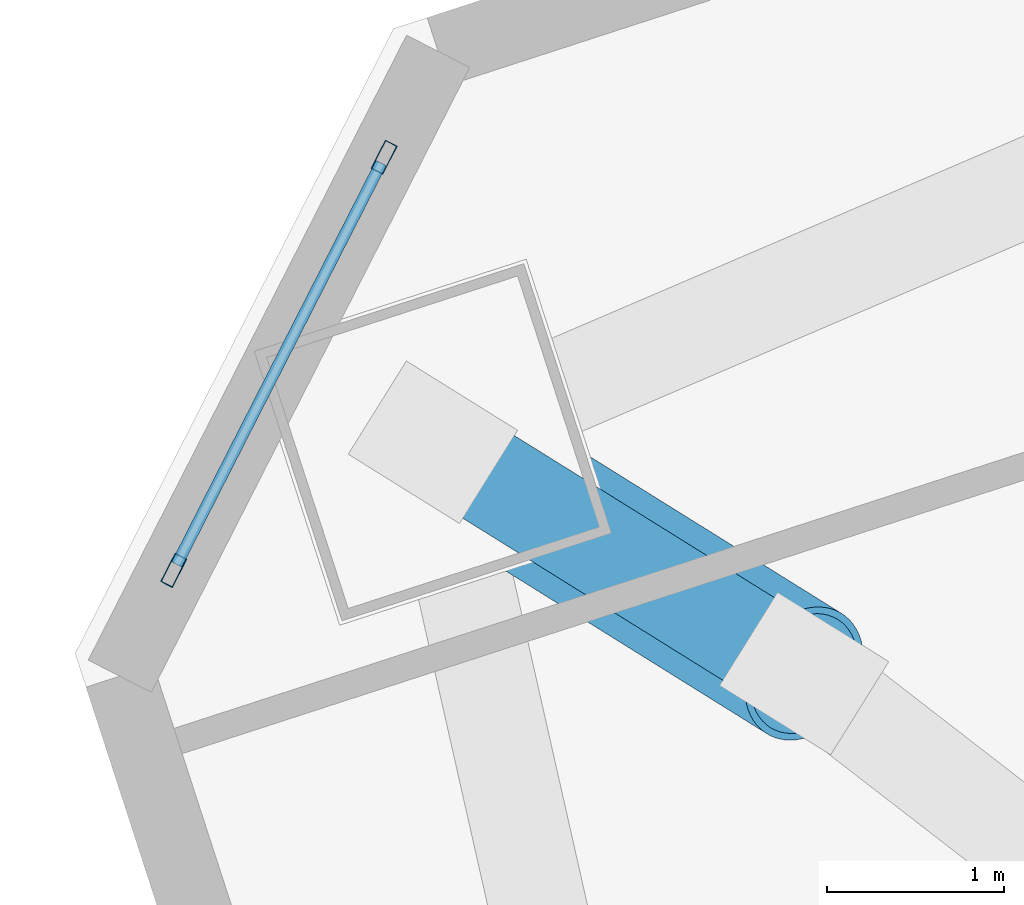
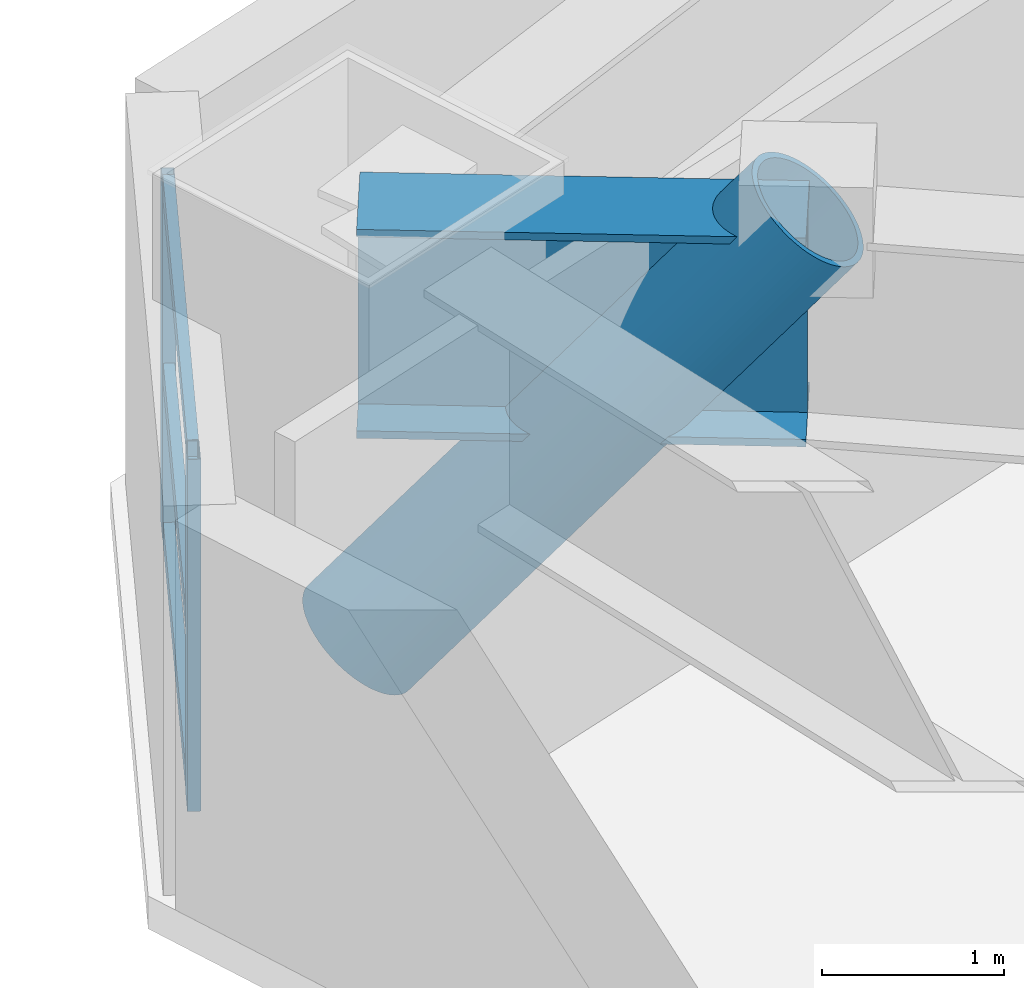
# One storey, part 6 of 18: 6 members, 1 beam, 1 element without a shape of its own.
"""IFC4 building model written with IfcOpenShell, lengths in metres."""

from ifc_helpers import new_model, si_unit, direction, frame, origin, origin_2d, place, context, subcontext, project, spatial, hollow_rectangle, hollow_circle, i_section, extrude, material, layer, layer_set, material_profile, profile_set, type_object, element, aggregate, save


model = new_model("IFC4")

# Units and contexts
model_context = context("Model", 3, precision=1e-05, world=origin(), true_north=direction((0.0, 1.0)))
body_context = subcontext(model_context, "Body", "Model", "MODEL_VIEW")
ifc_project = project(units=[si_unit("LENGTHUNIT", "METRE"), si_unit("AREAUNIT", "SQUARE_METRE"), si_unit("VOLUMEUNIT", "CUBIC_METRE"), si_unit("PLANEANGLEUNIT", "RADIAN"), si_unit("MASSUNIT", "GRAM", prefix="KILO")], contexts=[model_context])

# Site, building, storey
site_placement = place(None, origin())
site = spatial("IfcSite", under=ifc_project, at=site_placement, CompositionType="ELEMENT")
building_placement = place(site_placement, origin())
building = spatial("IfcBuilding", under=site, at=building_placement, Name="Qiaolan Cultural Towers", CompositionType="ELEMENT")
storey_placement = place(building_placement, frame((0.0, 0.0, 74.75)))
storey = spatial("IfcBuildingStorey", under=building, at=storey_placement, Name="L18", CompositionType="ELEMENT", Elevation=74.75)

# Beam
ifc_material_1 = material(Name="Steel Q420GJB", Category="steel")
ifc_material_profile_1 = material_profile(ifc_material_1, i_section(OverallWidth=0.550048828125, OverallDepth=1.39990234375, WebThickness=0.031982421875, FlangeThickness=0.050048828125, at=origin_2d()), Name="BH1400x550x32x50")
ifc_profile_set_1 = profile_set([ifc_material_profile_1], Name="Steel Q420GJB")
beam_type = type_object("IfcBeamType", Name="BM-BH1400x550x32x50", PredefinedType="BEAM", material=ifc_profile_set_1)
beam_placement = place(storey_placement, frame((65.972900390625, 53.22607421875, 2.530029296875), z_axis=(0.848719449852, -0.528843356244, 0.0), x_axis=(0.528843356244, 0.848719449852, 0.0)))
element("IfcBeam", 1, at=beam_placement, inside=storey, type_object=beam_type, Name="L18 T2 Setback Transfer Girder MC-NW-A", PredefinedType="BEAM", context=body_context, shape_type="SweptSolid", body=[
    extrude(i_section(OverallWidth=0.550048828125, OverallDepth=1.39990234375, WebThickness=0.031982421875, FlangeThickness=0.050048828125, at=origin_2d()), origin(), (0.0, 0.0, 1.0), 2.4697265625),
])

# Curtain wall, members
ifc_material_2 = material(Name="Unitized Anodized Aluminium Curtain Wall System", Category="aluminium")
ifc_layer = layer(ifc_material_2, 0.199951171875)
ifc_layer_set = layer_set([ifc_layer], Name="Unitized Anodized Aluminium Curtain Wall System")
curtain_wall_type = type_object("IfcCurtainWallType", Name="CWS-02", PredefinedType="NOTDEFINED", material=ifc_layer_set)
curtain_wall_placement = place(storey_placement, origin())
curtain_wall = element("IfcCurtainWall", 2, at=curtain_wall_placement, inside=storey, type_object=curtain_wall_type, Name="L18 T2 Chamfer Wind-Corner Feature Curtain Wall 1", PredefinedType="NOTDEFINED")
ifc_material_3 = material(Name="Extruded Aluminium 6063-T6", Category="aluminium")
ifc_material_profile_2 = material_profile(ifc_material_3, hollow_rectangle(XDim=0.074951171875, YDim=0.179931640625, WallThickness=0.00390625, at=origin_2d()), Name="CWM-180x75x4")
ifc_profile_set_2 = profile_set([ifc_material_profile_2], Name="Extruded Aluminium 6063-T6")
member_type_1 = type_object("IfcMemberType", Name="CWS-02-MUL", PredefinedType="MULLION", material=ifc_profile_set_2)
member_1_placement = place(storey_placement, frame((64.50927734375, 52.5029296875, 0.14990234375), z_axis=(0.0, 0.0, 1.0), x_axis=(-0.89100656444, 0.45399042074, 0.0)))
member_1 = element("IfcMember", 3, at=member_1_placement, type_object=member_type_1, Name="CW-2 mullion 1", PredefinedType="MULLION", context=body_context, shape_type="SweptSolid", body=[
    extrude(hollow_rectangle(XDim=0.074951171875, YDim=0.179931640625, WallThickness=0.00390625, at=origin_2d()), origin(), (0.0, 0.0, 1.0), 2.360107421875),
])
member_2_placement = place(storey_placement, frame((65.697509765625, 54.83544921875, 0.14990234375), z_axis=(0.0, 0.0, 1.0), x_axis=(-0.89100656444, 0.45399042074, 0.0)))
member_2 = element("IfcMember", 4, at=member_2_placement, type_object=member_type_1, Name="CW-2 mullion 2", PredefinedType="MULLION", context=body_context, shape_type="SweptSolid", body=[
    extrude(hollow_rectangle(XDim=0.074951171875, YDim=0.179931640625, WallThickness=0.00390625, at=origin_2d()), origin(), (0.0, 0.0, 1.0), 2.360107421875),
])
ifc_material_4 = material(Name="Extruded Aluminium 6063-T6", Category="aluminium")
ifc_material_profile_3 = material_profile(ifc_material_4, hollow_rectangle(XDim=0.06494140625, YDim=0.14990234375, WallThickness=0.00390625, at=origin_2d()), Name="CWT-150x65x4")
ifc_profile_set_3 = profile_set([ifc_material_profile_3], Name="Extruded Aluminium 6063-T6")
member_type_2 = type_object("IfcMemberType", Name="CWS-02-TRN", PredefinedType="USERDEFINED", material=ifc_profile_set_3)
member_3_placement = place(storey_placement, frame((64.526123046875, 52.536376953125, 0.1826171875), z_axis=(0.453960300991, 0.891021910575, 0.0), x_axis=(-0.891021910575, 0.453960300991, 0.0)))
member_3 = element("IfcMember", 5, at=member_3_placement, type_object=member_type_2, Name="CW-2 transom 1.1", ObjectType="TRANSOM", PredefinedType="USERDEFINED", context=body_context, shape_type="SweptSolid", body=[
    extrude(hollow_rectangle(XDim=0.06494140625, YDim=0.14990234375, WallThickness=0.00390625, at=origin_2d()), origin(), (0.0, 0.0, 1.0), 2.542724609375),
])
member_4_placement = place(storey_placement, frame((64.526123046875, 52.536376953125, 1.25), z_axis=(0.453960300991, 0.891021910575, 0.0), x_axis=(-0.891021910575, 0.453960300991, 0.0)))
member_4 = element("IfcMember", 6, at=member_4_placement, type_object=member_type_2, Name="CW-2 transom 1.2", ObjectType="TRANSOM", PredefinedType="USERDEFINED", context=body_context, shape_type="SweptSolid", body=[
    extrude(hollow_rectangle(XDim=0.06494140625, YDim=0.14990234375, WallThickness=0.00390625, at=origin_2d()), origin(), (0.0, 0.0, 1.0), 2.542724609375),
])
member_5_placement = place(storey_placement, frame((64.526123046875, 52.536376953125, 2.4775390625), z_axis=(0.453960300991, 0.891021910575, 0.0), x_axis=(-0.891021910575, 0.453960300991, 0.0)))
member_5 = element("IfcMember", 7, at=member_5_placement, type_object=member_type_2, Name="CW-2 transom 1.3", ObjectType="TRANSOM", PredefinedType="USERDEFINED", context=body_context, shape_type="SweptSolid", body=[
    extrude(hollow_rectangle(XDim=0.06494140625, YDim=0.14990234375, WallThickness=0.00390625, at=origin_2d()), origin(), (0.0, 0.0, 1.0), 2.542724609375),
])
aggregate(curtain_wall, [member_1, member_2, member_3, member_4, member_5])

# Member
ifc_material_5 = material(Name="Steel Q390GJB", Category="steel")
ifc_material_profile_4 = material_profile(ifc_material_5, hollow_circle(Radius=0.39990234375, WallThickness=0.0400390625, at=origin_2d()), Name="CHS800x40")
ifc_profile_set_4 = profile_set([ifc_material_profile_4], Name="Steel Q390GJB")
member_type_3 = type_object("IfcMemberType", Name="MBR-BRC-CHS800x40", PredefinedType="BRACE", material=ifc_profile_set_4)
member_6_placement = place(storey_placement, frame((65.972900390625, 53.22607421875, 0.300048828125), z_axis=(0.547016704453, -0.340850147778, 0.764587406259), x_axis=(0.528843356244, 0.848719449852, 0.0)))
element("IfcMember", 8, at=member_6_placement, inside=storey, type_object=member_type_3, Name="L18 T2 Setback Transfer Raker Strut MC-NW", PredefinedType="BRACE", context=body_context, shape_type="SweptSolid", body=[
    extrude(hollow_circle(Radius=0.39990234375, WallThickness=0.0400390625, at=origin_2d()), origin(), (0.0, 0.0, 1.0), 3.83203125),
])

save(model, "model.ifc")
